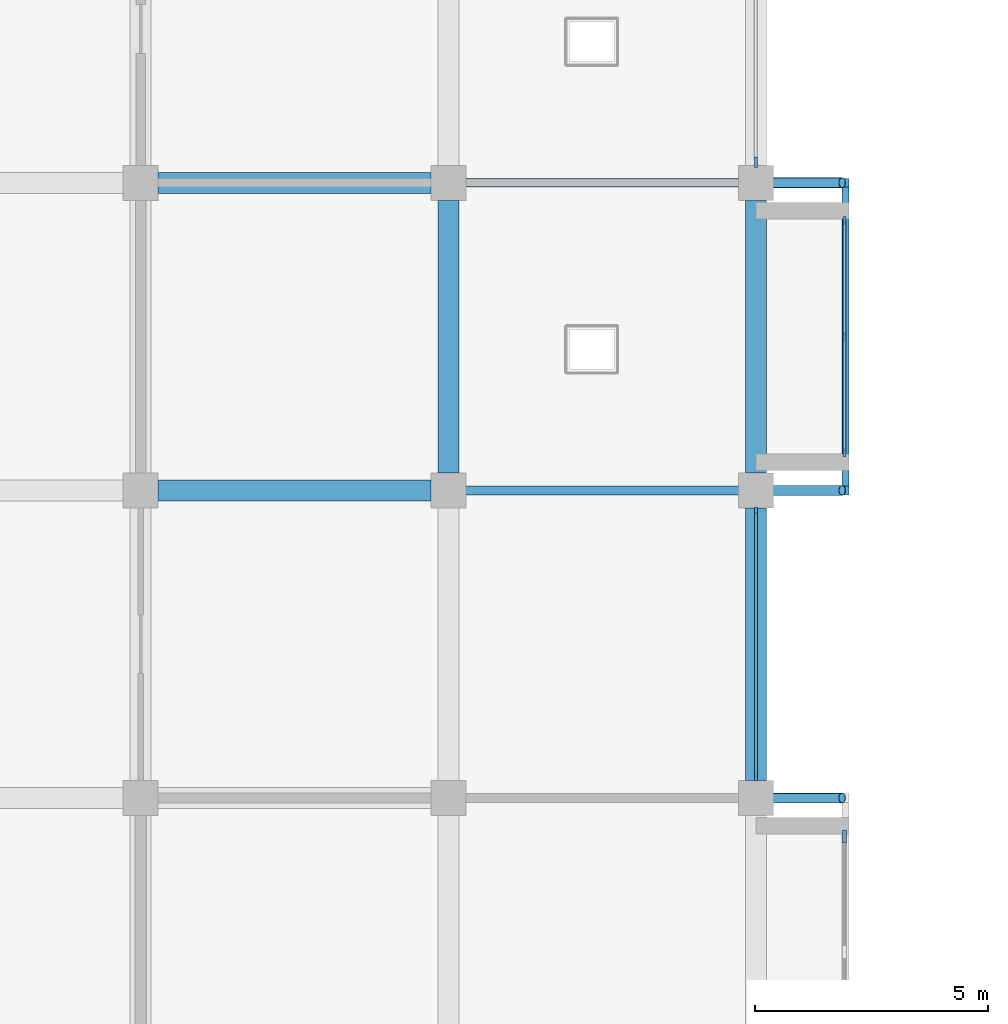
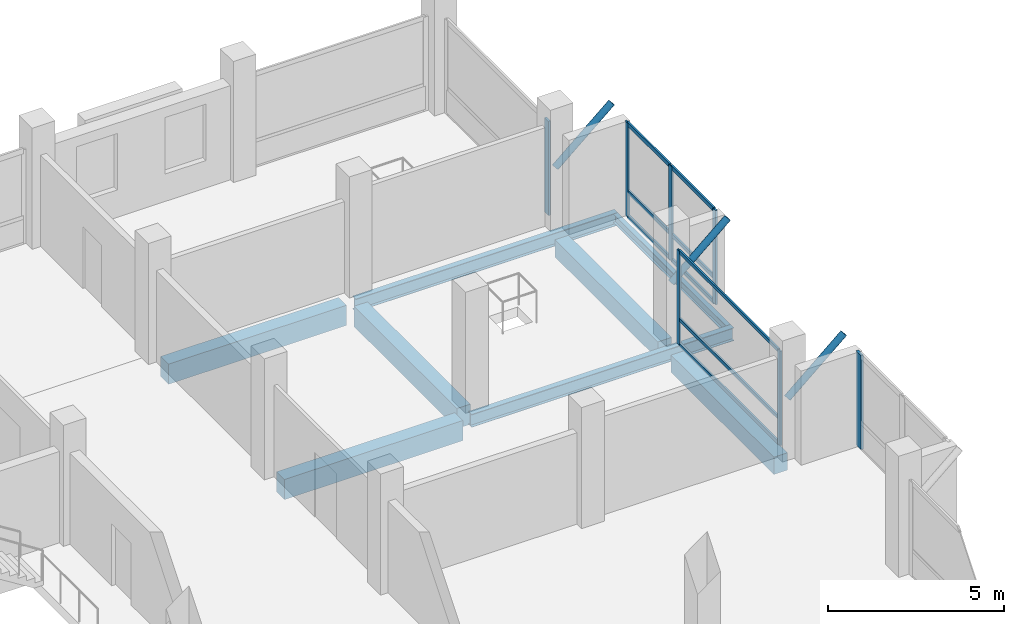
# One storey, part 6 of 18: 19 members, 8 beams, 4 elements without a shape of their own.
"""IFC4 building model written with IfcOpenShell, lengths in metres."""

import ifcopenshell
import ifcopenshell.guid

model = None  # the IFC model being written
_history = None  # IfcOwnerHistory: only IFC2X3 demands one
_inside = {}  # id of a spatial element -> (the spatial element, [elements in it])
_under = {}  # id of a project, library or spatial element -> (it, [spatial elements below it])
_declared = {}  # id of a project -> (the project, [libraries it declares])
_typed = {}  # id of a type object -> (the type object, [elements of that type])
_made_of = {}  # id of a material, layer set ... -> (it, [elements and type objects made of it])


def new_model(schema):
    """Start an empty IFC model of exactly this schema.

    Asked for "IFC4X3", IfcOpenShell would pick the latest addendum, in which some entities
    have other attributes; the version numbers below select the first issue.
    IFC2X3 requires an IfcOwnerHistory on every rooted entity: one is made here for all.
    """
    global model, _history
    if schema == "IFC4X3":
        model = ifcopenshell.file(schema_version=(4, 3, 0, 0))
    else:
        model = ifcopenshell.file(schema=schema)
    _inside.clear()
    _under.clear()
    _declared.clear()
    _typed.clear()
    _made_of.clear()
    _history = None
    if model.schema == "IFC2X3":
        org = make("IfcOrganization", Name="unknown")
        user = make(
            "IfcPersonAndOrganization",
            ThePerson=make("IfcPerson", FamilyName="unknown"),
            TheOrganization=org,
        )
        app = make(
            "IfcApplication",
            ApplicationDeveloper=org,
            Version="unknown",
            ApplicationFullName="unknown",
            ApplicationIdentifier="unknown",
        )
        _history = make(
            "IfcOwnerHistory",
            OwningUser=user,
            OwningApplication=app,
            ChangeAction="ADDED",
            CreationDate=0,
        )
    return model


def make(cls, **values):
    """One entity of the class cls with the attributes given. An attribute that is None is left unset."""
    return model.create_entity(
        cls, **{name: value for name, value in values.items() if value is not None}
    )


def rooted(cls, **values):
    """An entity with a GlobalId (a new one), such as an element, a storey or a relation."""
    return make(cls, GlobalId=ifcopenshell.guid.new(), OwnerHistory=_history, **values)


def si_unit(unit_type, name, prefix=None):
    """IfcSIUnit, for example si_unit("LENGTHUNIT", "METRE", prefix="MILLI")."""
    return make("IfcSIUnit", UnitType=unit_type, Prefix=prefix, Name=name)


def assignment(units):
    """IfcUnitAssignment: the units of a project."""
    return None if units is None else make("IfcUnitAssignment", Units=units)


def point(xyz):
    """IfcCartesianPoint."""
    return None if xyz is None else make("IfcCartesianPoint", Coordinates=xyz)


def direction(xyz):
    """IfcDirection."""
    return None if xyz is None else make("IfcDirection", DirectionRatios=xyz)


def frame(location, z_axis=None, x_axis=None):
    """IfcAxis2Placement3D, a coordinate frame: its origin and axes. An axis left out is left unset."""
    return make(
        "IfcAxis2Placement3D",
        Location=point(location),
        Axis=direction(z_axis),
        RefDirection=direction(x_axis),
    )


def frame_2d(location, x_axis=None):
    """IfcAxis2Placement2D, a coordinate frame in the plane: its origin and x axis."""
    return make(
        "IfcAxis2Placement2D", Location=point(location), RefDirection=direction(x_axis)
    )


def origin():
    """The frame at (0, 0, 0) with its axes left unset."""
    return frame((0.0, 0.0, 0.0))


def origin_2d():
    """The frame at (0, 0) in the plane with its x axis left unset."""
    return frame_2d((0.0, 0.0))


def place(relative_to, where):
    """IfcLocalPlacement: puts the frame where relative to a parent placement (None: the world)."""
    return make(
        "IfcLocalPlacement", PlacementRelTo=relative_to, RelativePlacement=where
    )


def context(
    kind, dimensions, precision=None, world=None, true_north=None, identifier=None
):
    """IfcGeometricRepresentationContext, for example the 3D "Model" context."""
    return make(
        "IfcGeometricRepresentationContext",
        ContextIdentifier=identifier,
        ContextType=kind,
        CoordinateSpaceDimension=dimensions,
        Precision=precision,
        WorldCoordinateSystem=world,
        TrueNorth=true_north,
    )


def subcontext(parent, identifier, kind, view, scale=None):
    """IfcGeometricRepresentationSubContext, for example "Body" below "Model"."""
    return make(
        "IfcGeometricRepresentationSubContext",
        ContextIdentifier=identifier,
        ContextType=kind,
        ParentContext=parent,
        TargetScale=scale,
        TargetView=view,
    )


def project(units=None, contexts=None):
    """IfcProject with its units and contexts."""
    return rooted(
        "IfcProject",
        Name="project",
        RepresentationContexts=contexts,
        UnitsInContext=assignment(units),
    )


def spatial(cls, under=None, at=None, **own):
    """A site, building, storey or space (cls), placed at a placement, below another one or the project."""
    s = rooted(cls, ObjectPlacement=at, **own)
    if under is not None:
        _under.setdefault(under.id(), (under, []))[1].append(s)
    return s


def profile(cls, at=None, kind="AREA", **sizes):
    """A parametric profile (cls). Its sizes go by their IFC names, for example OverallWidth=200.0."""
    return make(cls, ProfileType=kind, Position=at, **sizes)


def rectangle(**sizes):
    """IfcRectangleProfileDef."""
    return profile("IfcRectangleProfileDef", **sizes)


def hollow_circle(**sizes):
    """IfcCircleHollowProfileDef."""
    return profile("IfcCircleHollowProfileDef", **sizes)


def i_section(**sizes):
    """IfcIShapeProfileDef."""
    return profile("IfcIShapeProfileDef", **sizes)


def extrude(swept, where, along, depth):
    """IfcExtrudedAreaSolid: the profile swept, set in the frame where, extruded along a direction by depth."""
    return make(
        "IfcExtrudedAreaSolid",
        SweptArea=swept,
        Position=where,
        ExtrudedDirection=direction(along),
        Depth=depth,
    )


def shape(context_of_items, identifier, shape_type, items):
    """IfcShapeRepresentation: the items that make up one representation, for example the "Body"."""
    return make(
        "IfcShapeRepresentation",
        ContextOfItems=context_of_items,
        RepresentationIdentifier=identifier,
        RepresentationType=shape_type,
        Items=items,
    )


def material(Name=None, Category=None):
    """IfcMaterial."""
    return make("IfcMaterial", Name=Name, Category=Category)


def material_profile(
    of_material, cross_section, Name=None, Category=None, Priority=None
):
    """IfcMaterialProfile: a cross section and its material."""
    return make(
        "IfcMaterialProfile",
        Name=Name,
        Material=of_material,
        Profile=cross_section,
        Priority=Priority,
        Category=Category,
    )


def profile_set(profiles, Name=None, composite=None):
    """IfcMaterialProfileSet."""
    return make(
        "IfcMaterialProfileSet",
        Name=Name,
        MaterialProfiles=profiles,
        CompositeProfile=composite,
    )


def made_of(thing, what):
    """Note that an element or type object is made of a material, layer set ...; save() writes the relation."""
    if what is not None:
        _made_of.setdefault(what.id(), (what, []))[1].append(thing)
    return thing


def type_object(cls, material=None, **own):
    """A type object (cls), such as IfcWallType, which elements share."""
    return made_of(rooted(cls, **own), material)


def element(
    cls,
    number,
    at=None,
    inside=None,
    cuts=None,
    type_object=None,
    material=None,
    context=None,
    identifier="Body",
    shape_type=None,
    held_by="IfcProductDefinitionShape",
    body=None,
    shapes=None,
    **own,
):
    """One element of the class cls, such as IfcWall. Its Tag is "e" and its number.

    at: its placement. inside: the storey or other place that contains it. cuts: it is an
    opening in that element (IfcRelVoidsElement). A single representation is given by context,
    identifier, shape_type and body (its items); several are given by shapes. held_by: the class
    of the entity that holds the representations. save() writes the other relations.
    """
    e = rooted(cls, Tag="e%d" % number, ObjectPlacement=at, **own)
    if body is not None:
        shapes = [shape(context, identifier, shape_type, body)]
    if shapes is not None:
        e.Representation = make(held_by, Representations=shapes)
    if inside is not None:
        _inside.setdefault(inside.id(), (inside, []))[1].append(e)
    if cuts is not None:
        rooted(
            "IfcRelVoidsElement", RelatingBuildingElement=cuts, RelatedOpeningElement=e
        )
    if type_object is not None:
        _typed.setdefault(type_object.id(), (type_object, []))[1].append(e)
    return made_of(e, material)


def aggregate(whole, parts):
    """IfcRelAggregates: a whole, such as a stair, and the parts it consists of."""
    return rooted("IfcRelAggregates", RelatingObject=whole, RelatedObjects=parts)


def save(model, path):
    """Write the relations noted so far, then the file.

    IfcRelAggregates (storeys below a building ...), IfcRelContainedInSpatialStructure (elements
    in a storey), IfcRelDefinesByType, IfcRelAssociatesMaterial and IfcRelDeclares: one each for
    every whole, place, type object, material and project.
    """
    for whole, parts in _under.values():
        aggregate(whole, parts)
    for where, things in _inside.values():
        rooted(
            "IfcRelContainedInSpatialStructure",
            RelatedElements=things,
            RelatingStructure=where,
        )
    for kind, things in _typed.values():
        rooted("IfcRelDefinesByType", RelatedObjects=things, RelatingType=kind)
    for what, things in _made_of.values():
        rooted("IfcRelAssociatesMaterial", RelatedObjects=things, RelatingMaterial=what)
    for by, libraries in _declared.values():
        rooted("IfcRelDeclares", RelatingContext=by, RelatedDefinitions=libraries)
    model.write(path)


model = new_model("IFC4")

# Units and contexts
model_context = context("Model", 3, precision=1e-05, world=origin(), true_north=direction((0.0, 1.0)))
body_context = subcontext(model_context, "Body", "Model", "MODEL_VIEW")
ifc_project = project(units=[si_unit("LENGTHUNIT", "METRE"), si_unit("AREAUNIT", "SQUARE_METRE"), si_unit("VOLUMEUNIT", "CUBIC_METRE"), si_unit("PLANEANGLEUNIT", "RADIAN"), si_unit("MASSUNIT", "GRAM", prefix="KILO")], contexts=[model_context])

# Site, building, storey
site_placement = place(None, origin())
site = spatial("IfcSite", under=ifc_project, at=site_placement, CompositionType="ELEMENT")
building_placement = place(site_placement, origin())
building = spatial("IfcBuilding", under=site, at=building_placement, Name="Rusizi Kubbe Research Institute", CompositionType="ELEMENT")
storey_placement = place(building_placement, frame((0.0, 0.0, 22.800048828125)))
storey = spatial("IfcBuildingStorey", under=building, at=storey_placement, Name="L05", CompositionType="ELEMENT", Elevation=22.800048828125)

# Beams
ifc_material_1 = material(Name="Steel S355", Category="steel")
ifc_material_profile_1 = material_profile(ifc_material_1, i_section(OverallWidth=0.14990234375, OverallDepth=0.300048828125, WebThickness=0.007080078125, FlangeThickness=0.0107421875, at=origin_2d()), Name="IPE 300")
ifc_profile_set_1 = profile_set([ifc_material_profile_1], Name="Steel S355")
beam_type_1 = type_object("IfcBeamType", Name="BM-IPE300", PredefinedType="BEAM", material=ifc_profile_set_1)
beam_1_placement = place(storey_placement, frame((28.324951171875, 72.695068359375, -0.489990234375), z_axis=(0.0, 1.0, 0.0), x_axis=(-1.0, 0.0, 0.0)))
element("IfcBeam", 1, at=beam_1_placement, inside=storey, type_object=beam_type_1, Name="Cumba Edge Tie Beam L05-2", PredefinedType="BEAM", context=body_context, shape_type="SweptSolid", body=[
    extrude(i_section(OverallWidth=0.14990234375, OverallDepth=0.300048828125, WebThickness=0.007080078125, FlangeThickness=0.0107421875, at=origin_2d()), origin(), (0.0, 0.0, 1.0), 6.409912109375),
])
ifc_material_2 = material(Name="Steel S355", Category="steel")
ifc_material_profile_2 = material_profile(ifc_material_2, i_section(OverallWidth=0.18994140625, OverallDepth=0.449951171875, WebThickness=0.009521484375, FlangeThickness=0.0146484375, at=origin_2d()), Name="IPE 450")
ifc_profile_set_2 = profile_set([ifc_material_profile_2], Name="Steel S355")
beam_type_2 = type_object("IfcBeamType", Name="BM-IPE450", PredefinedType="BEAM", material=ifc_profile_set_2)
for number, where, z_axis, x_axis, name in (
    (2, (19.800048828125, 72.60009765625, -0.56494140625), (1.0, 0.0, 0.0), (0.0, 1.0, 0.0), "Cumba Back-Spanned Cantilever Beam L05-2S"),
    (3, (19.800048828125, 79.199951171875, -0.56494140625), (1.0, 0.0, 0.0), (0.0, 1.0, 0.0), "Cumba Back-Spanned Cantilever Beam L05-2N"),
):
    element("IfcBeam", number, at=place(storey_placement, frame(where, z_axis=z_axis, x_axis=x_axis)), inside=storey, type_object=beam_type_2, Name=name, PredefinedType="BEAM", context=body_context, shape_type="SweptSolid", body=[
        extrude(i_section(OverallWidth=0.18994140625, OverallDepth=0.449951171875, WebThickness=0.009521484375, FlangeThickness=0.0146484375, at=origin_2d()), origin(), (0.0, 0.0, 1.0), 8.599853515625),
    ])
ifc_material_3 = material(Name="Concrete C40/50", Category="concrete")
ifc_material_profile_3 = material_profile(ifc_material_3, rectangle(XDim=0.449951171875, YDim=0.60009765625, at=origin_2d()), Name="RC450x600")
ifc_profile_set_3 = profile_set([ifc_material_profile_3], Name="Concrete C40/50")
beam_type_3 = type_object("IfcBeamType", Name="BM-RC450x600", PredefinedType="SPANDREL", material=ifc_profile_set_3)
beam_2_placement = place(storey_placement, frame((26.39990234375, 66.375, -0.64013671875), z_axis=(0.0, 1.0, 0.0), x_axis=(-1.0, 0.0, 0.0)))
element("IfcBeam", 4, at=beam_2_placement, inside=storey, type_object=beam_type_3, Name="Grid Beam V L05 (4,10)", PredefinedType="SPANDREL", context=body_context, shape_type="SweptSolid", body=[
    extrude(rectangle(XDim=0.449951171875, YDim=0.60009765625, at=origin_2d()), origin(), (0.0, 0.0, 1.0), 5.85009765625),
])
beam_3_placement = place(storey_placement, frame((26.39990234375, 72.97509765625, -0.64013671875), z_axis=(0.0, 1.0, 0.0), x_axis=(-1.0, 0.0, 0.0)))
element("IfcBeam", 5, at=beam_3_placement, inside=storey, type_object=beam_type_3, Name="Grid Beam V L05 (4,11)", PredefinedType="SPANDREL", context=body_context, shape_type="SweptSolid", body=[
    extrude(rectangle(XDim=0.449951171875, YDim=0.60009765625, at=origin_2d()), origin(), (0.0, 0.0, 1.0), 5.849853515625),
])
ifc_material_4 = material(Name="Concrete C40/50", Category="concrete")
ifc_material_profile_4 = material_profile(ifc_material_4, rectangle(XDim=0.449951171875, YDim=0.699951171875, at=origin_2d()), Name="RC450x700B")
ifc_profile_set_4 = profile_set([ifc_material_profile_4], Name="Concrete C40/50")
beam_type_4 = type_object("IfcBeamType", Name="BM-RC450x700", PredefinedType="BEAM", material=ifc_profile_set_4)
for number, where, z_axis, x_axis, name in (
    (6, (13.574951171875, 72.60009765625, -0.68994140625), (1.0, 0.0, 0.0), (0.0, 1.0, 0.0), "Grid Beam H L05 (2,11)"),
    (7, (13.574951171875, 79.199951171875, -0.68994140625), (1.0, 0.0, 0.0), (0.0, 1.0, 0.0), "Grid Beam H L05 (2,12)"),
):
    element("IfcBeam", number, at=place(storey_placement, frame(where, z_axis=z_axis, x_axis=x_axis)), inside=storey, type_object=beam_type_4, Name=name, PredefinedType="BEAM", context=body_context, shape_type="SweptSolid", body=[
        extrude(rectangle(XDim=0.449951171875, YDim=0.699951171875, at=origin_2d()), origin(), (0.0, 0.0, 1.0), 5.85009765625),
    ])
beam_4_placement = place(storey_placement, frame((19.800048828125, 72.97509765625, -0.68994140625), z_axis=(0.0, 1.0, 0.0), x_axis=(-1.0, 0.0, 0.0)))
element("IfcBeam", 8, at=beam_4_placement, inside=storey, type_object=beam_type_4, Name="Grid Beam V L05 (3,11)", PredefinedType="BEAM", context=body_context, shape_type="SweptSolid", body=[
    extrude(rectangle(XDim=0.449951171875, YDim=0.699951171875, at=origin_2d()), origin(), (0.0, 0.0, 1.0), 5.849853515625),
])

# Members
ifc_material_5 = material(Name="Steel S355", Category="steel")
ifc_material_profile_5 = material_profile(ifc_material_5, hollow_circle(Radius=0.109619140625, WallThickness=0.008056640625, at=origin_2d()), Name="CHS 219.1x8.0")
ifc_profile_set_5 = profile_set([ifc_material_profile_5], Name="Steel S355")
member_type_1 = type_object("IfcMemberType", Name="MB-CHS219", PredefinedType="BRACE", material=ifc_profile_set_5)
for number, where, z_axis, x_axis, name in (
    (9, (26.39990234375, 66.0, 1.869873046875), (0.756360503059, 0.0, 0.654155019405), (0.0, 1.0, 0.0), "Cumba Diagonal Corbel Brace L06-2N"),
    (10, (26.39990234375, 72.60009765625, 1.869873046875), (0.756360503059, 0.0, 0.654155019405), (0.0, 1.0, 0.0), "Cumba Diagonal Corbel Brace L06-4S"),
    (11, (26.39990234375, 79.199951171875, 1.869873046875), (0.756360503059, 0.0, 0.654155019405), (0.0, 1.0, 0.0), "Cumba Diagonal Corbel Brace L06-4N"),
):
    element("IfcMember", number, at=place(storey_placement, frame(where, z_axis=z_axis, x_axis=x_axis)), inside=storey, type_object=member_type_1, Name=name, PredefinedType="BRACE", context=body_context, shape_type="SweptSolid", body=[
        extrude(hollow_circle(Radius=0.109619140625, WallThickness=0.008056640625, at=origin_2d()), origin(), (0.0, 0.0, 1.0), 2.446044921875),
    ])

# Curtain wall, members
ifc_material_6 = material(Name="Thermally Broken Aluminium and Low-E Glazing", Category="aluminium")
curtain_wall_type_1 = type_object("IfcCurtainWallType", Name="CW-08", PredefinedType="NOTDEFINED", material=ifc_material_6)
curtain_wall_1_placement = place(storey_placement, origin())
curtain_wall_1 = element("IfcCurtainWall", 12, at=curtain_wall_1_placement, inside=storey, type_object=curtain_wall_type_1, Name="Unitised Facade Curtain Wall CW-L05-V-04-10", PredefinedType="NOTDEFINED")
ifc_material_7 = material(Name="Aluminium Alloy 6063-T6", Category="aluminium")
ifc_material_profile_6 = material_profile(ifc_material_7, rectangle(XDim=0.06005859375, YDim=0.14990234375, at=origin_2d()), Name="ALU-M 60x150")
ifc_profile_set_6 = profile_set([ifc_material_profile_6], Name="Aluminium Alloy 6063-T6")
member_type_2 = type_object("IfcMemberType", Name="ML-01", PredefinedType="MULLION", material=ifc_profile_set_6)
member_1_placement = place(storey_placement, frame((26.39990234375, 66.43505859375, 0.0), z_axis=(0.0, 0.0, 1.0), x_axis=(-1.0, 0.0, 0.0)))
member_1 = element("IfcMember", 13, at=member_1_placement, type_object=member_type_2, Name="CW-08 mullion 1", PredefinedType="MULLION", context=body_context, shape_type="SweptSolid", body=[
    extrude(rectangle(XDim=0.06005859375, YDim=0.14990234375, at=origin_2d()), origin(), (0.0, 0.0, 1.0), 3.27001953125),
])
member_2_placement = place(storey_placement, frame((26.39990234375, 72.1650390625, 0.0), z_axis=(0.0, 0.0, 1.0), x_axis=(-1.0, 0.0, 0.0)))
member_2 = element("IfcMember", 14, at=member_2_placement, type_object=member_type_2, Name="CW-08 mullion 2", PredefinedType="MULLION", context=body_context, shape_type="SweptSolid", body=[
    extrude(rectangle(XDim=0.06005859375, YDim=0.14990234375, at=origin_2d()), origin(), (0.0, 0.0, 1.0), 3.27001953125),
])

ifc_material_8 = material(Name="Thermally Broken Aluminium and Low-E Glazing", Category="aluminium")
curtain_wall_type_2 = type_object("IfcCurtainWallType", Name="CW-02", PredefinedType="NOTDEFINED", material=ifc_material_8)
curtain_wall_2_placement = place(storey_placement, origin())
curtain_wall_2 = element("IfcCurtainWall", 15, at=curtain_wall_2_placement, inside=storey, type_object=curtain_wall_type_2, Name="Cumba Glazed Curtain Wall CW-CUMBA-L05-061", PredefinedType="NOTDEFINED")
ifc_material_9 = material(Name="Aluminium Alloy 6063-T6", Category="aluminium")
ifc_material_profile_7 = material_profile(ifc_material_9, rectangle(XDim=0.06005859375, YDim=0.179931640625, at=origin_2d()), Name="ALU-M 60x180")
ifc_profile_set_7 = profile_set([ifc_material_profile_7], Name="Aluminium Alloy 6063-T6")
member_type_3 = type_object("IfcMemberType", Name="ML-02", PredefinedType="MULLION", material=ifc_profile_set_7)
member_3_placement = place(storey_placement, frame((28.300048828125, 73.41259765625, 0.0), z_axis=(0.0, 0.0, 1.0), x_axis=(-1.0, 0.0, 0.0)))
member_3 = element("IfcMember", 16, at=member_3_placement, type_object=member_type_3, Name="CW-02 mullion 1", PredefinedType="MULLION", context=body_context, shape_type="SweptSolid", body=[
    extrude(rectangle(XDim=0.06005859375, YDim=0.179931640625, at=origin_2d()), origin(), (0.0, 0.0, 1.0), 3.27001953125),
])
member_4_placement = place(storey_placement, frame((28.300048828125, 75.89990234375, 0.0), z_axis=(0.0, 0.0, 1.0), x_axis=(-1.0, 0.0, 0.0)))
member_4 = element("IfcMember", 17, at=member_4_placement, type_object=member_type_3, Name="CW-02 mullion 2", PredefinedType="MULLION", context=body_context, shape_type="SweptSolid", body=[
    extrude(rectangle(XDim=0.06005859375, YDim=0.179931640625, at=origin_2d()), origin(), (0.0, 0.0, 1.0), 3.27001953125),
])
member_5_placement = place(storey_placement, frame((28.300048828125, 78.387451171875, 0.0), z_axis=(0.0, 0.0, 1.0), x_axis=(-1.0, 0.0, 0.0)))
member_5 = element("IfcMember", 18, at=member_5_placement, type_object=member_type_3, Name="CW-02 mullion 3", PredefinedType="MULLION", context=body_context, shape_type="SweptSolid", body=[
    extrude(rectangle(XDim=0.06005859375, YDim=0.179931640625, at=origin_2d()), origin(), (0.0, 0.0, 1.0), 3.27001953125),
])

# Curtain wall, member
curtain_wall_3_placement = place(storey_placement, origin())
curtain_wall_3 = element("IfcCurtainWall", 19, at=curtain_wall_3_placement, inside=storey, type_object=curtain_wall_type_1, Name="Unitised Facade Curtain Wall CW-L05-V-04-12", PredefinedType="NOTDEFINED")
ifc_material_10 = material(Name="Aluminium Alloy 6063-T6", Category="aluminium")
ifc_material_profile_8 = material_profile(ifc_material_10, rectangle(XDim=0.070068359375, YDim=0.219970703125, at=origin_2d()), Name="ALU-M 70x220")
ifc_profile_set_8 = profile_set([ifc_material_profile_8], Name="Aluminium Alloy 6063-T6")
member_type_4 = type_object("IfcMemberType", Name="ML-04", PredefinedType="MULLION", material=ifc_profile_set_8)
member_6_placement = place(storey_placement, frame((26.39990234375, 79.639892578125, 0.0), z_axis=(0.0, 0.0, 1.0), x_axis=(-1.0, 0.0, 0.0)))
member_6 = element("IfcMember", 20, at=member_6_placement, type_object=member_type_4, Name="CW-08 mullion 1", PredefinedType="MULLION", context=body_context, shape_type="SweptSolid", body=[
    extrude(rectangle(XDim=0.070068359375, YDim=0.219970703125, at=origin_2d()), origin(), (0.0, 0.0, 1.0), 3.27001953125),
])
aggregate(curtain_wall_3, [member_6])

curtain_wall_4_placement = place(storey_placement, origin())
curtain_wall_4 = element("IfcCurtainWall", 21, at=curtain_wall_4_placement, inside=storey, type_object=curtain_wall_type_2, Name="Cumba Glazed Curtain Wall CW-CUMBA-L05-059", PredefinedType="NOTDEFINED")
ifc_material_11 = material(Name="Aluminium Alloy 6063-T6", Category="aluminium")
ifc_material_profile_9 = material_profile(ifc_material_11, rectangle(XDim=0.080078125, YDim=0.280029296875, at=origin_2d()), Name="ALU-M 80x280")
ifc_profile_set_9 = profile_set([ifc_material_profile_9], Name="Aluminium Alloy 6063-T6")
member_type_5 = type_object("IfcMemberType", Name="ML-06", PredefinedType="MULLION", material=ifc_profile_set_9)
member_7_placement = place(storey_placement, frame((28.300048828125, 65.177490234375, 0.0), z_axis=(0.0, 0.0, 1.0), x_axis=(-1.0, 0.0, 0.0)))
member_7 = element("IfcMember", 22, at=member_7_placement, type_object=member_type_5, Name="CW-02 mullion 3", PredefinedType="MULLION", context=body_context, shape_type="SweptSolid", body=[
    extrude(rectangle(XDim=0.080078125, YDim=0.280029296875, at=origin_2d()), origin(), (0.0, 0.0, 1.0), 3.27001953125),
])
aggregate(curtain_wall_4, [member_7])

# Member
ifc_material_12 = material(Name="Aluminium Alloy 6063-T6", Category="aluminium")
ifc_material_profile_10 = material_profile(ifc_material_12, rectangle(XDim=0.06005859375, YDim=0.1201171875, at=origin_2d()), Name="ALU-T 60x120")
ifc_profile_set_10 = profile_set([ifc_material_profile_10], Name="Aluminium Alloy 6063-T6")
member_type_6 = type_object("IfcMemberType", Name="TR-01", PredefinedType="USERDEFINED", material=ifc_profile_set_10)
member_8_placement = place(storey_placement, frame((26.39990234375, 66.465087890625, 0.030029296875), z_axis=(0.0, 1.0, 0.0), x_axis=(-1.0, 0.0, 0.0)))
member_8 = element("IfcMember", 23, at=member_8_placement, type_object=member_type_6, Name="CW-08 transom 1.1", ObjectType="TRANSOM", PredefinedType="USERDEFINED", context=body_context, shape_type="SweptSolid", body=[
    extrude(rectangle(XDim=0.06005859375, YDim=0.1201171875, at=origin_2d()), origin(), (0.0, 0.0, 1.0), 5.669921875),
])

member_9_placement = place(storey_placement, frame((26.39990234375, 66.465087890625, 0.89990234375), z_axis=(0.0, 1.0, 0.0), x_axis=(-1.0, 0.0, 0.0)))
member_9 = element("IfcMember", 24, at=member_9_placement, type_object=member_type_6, Name="CW-08 transom 1.2", ObjectType="TRANSOM", PredefinedType="USERDEFINED", context=body_context, shape_type="SweptSolid", body=[
    extrude(rectangle(XDim=0.06005859375, YDim=0.1201171875, at=origin_2d()), origin(), (0.0, 0.0, 1.0), 5.669921875),
])

member_10_placement = place(storey_placement, frame((26.39990234375, 66.465087890625, 3.239990234375), z_axis=(0.0, 1.0, 0.0), x_axis=(-1.0, 0.0, 0.0)))
member_10 = element("IfcMember", 25, at=member_10_placement, type_object=member_type_6, Name="CW-08 transom 1.3", ObjectType="TRANSOM", PredefinedType="USERDEFINED", context=body_context, shape_type="SweptSolid", body=[
    extrude(rectangle(XDim=0.06005859375, YDim=0.1201171875, at=origin_2d()), origin(), (0.0, 0.0, 1.0), 5.669921875),
])

aggregate(curtain_wall_1, [member_1, member_2, member_8, member_9, member_10])

ifc_material_13 = material(Name="Aluminium Alloy 6063-T6", Category="aluminium")
ifc_material_profile_11 = material_profile(ifc_material_13, rectangle(XDim=0.06005859375, YDim=0.139892578125, at=origin_2d()), Name="ALU-T 60x140")
ifc_profile_set_11 = profile_set([ifc_material_profile_11], Name="Aluminium Alloy 6063-T6")
member_type_7 = type_object("IfcMemberType", Name="TR-02", PredefinedType="USERDEFINED", material=ifc_profile_set_11)
member_11_placement = place(storey_placement, frame((28.300048828125, 73.4423828125, 0.030029296875), z_axis=(0.0, 1.0, 0.0), x_axis=(-1.0, 0.0, 0.0)))
member_11 = element("IfcMember", 26, at=member_11_placement, type_object=member_type_7, Name="CW-02 transom 1.1", ObjectType="TRANSOM", PredefinedType="USERDEFINED", context=body_context, shape_type="SweptSolid", body=[
    extrude(rectangle(XDim=0.06005859375, YDim=0.139892578125, at=origin_2d()), origin(), (0.0, 0.0, 1.0), 2.427734375),
])

member_12_placement = place(storey_placement, frame((28.300048828125, 73.4423828125, 0.89990234375), z_axis=(0.0, 1.0, 0.0), x_axis=(-1.0, 0.0, 0.0)))
member_12 = element("IfcMember", 27, at=member_12_placement, type_object=member_type_7, Name="CW-02 transom 1.2", ObjectType="TRANSOM", PredefinedType="USERDEFINED", context=body_context, shape_type="SweptSolid", body=[
    extrude(rectangle(XDim=0.06005859375, YDim=0.139892578125, at=origin_2d()), origin(), (0.0, 0.0, 1.0), 2.427734375),
])

member_13_placement = place(storey_placement, frame((28.300048828125, 73.4423828125, 3.239990234375), z_axis=(0.0, 1.0, 0.0), x_axis=(-1.0, 0.0, 0.0)))
member_13 = element("IfcMember", 28, at=member_13_placement, type_object=member_type_7, Name="CW-02 transom 1.3", ObjectType="TRANSOM", PredefinedType="USERDEFINED", context=body_context, shape_type="SweptSolid", body=[
    extrude(rectangle(XDim=0.06005859375, YDim=0.139892578125, at=origin_2d()), origin(), (0.0, 0.0, 1.0), 2.427734375),
])

member_14_placement = place(storey_placement, frame((28.300048828125, 75.929931640625, 0.030029296875), z_axis=(0.0, 1.0, 0.0), x_axis=(-1.0, 0.0, 0.0)))
member_14 = element("IfcMember", 29, at=member_14_placement, type_object=member_type_7, Name="CW-02 transom 2.1", ObjectType="TRANSOM", PredefinedType="USERDEFINED", context=body_context, shape_type="SweptSolid", body=[
    extrude(rectangle(XDim=0.06005859375, YDim=0.139892578125, at=origin_2d()), origin(), (0.0, 0.0, 1.0), 2.427490234375),
])

member_15_placement = place(storey_placement, frame((28.300048828125, 75.929931640625, 0.89990234375), z_axis=(0.0, 1.0, 0.0), x_axis=(-1.0, 0.0, 0.0)))
member_15 = element("IfcMember", 30, at=member_15_placement, type_object=member_type_7, Name="CW-02 transom 2.2", ObjectType="TRANSOM", PredefinedType="USERDEFINED", context=body_context, shape_type="SweptSolid", body=[
    extrude(rectangle(XDim=0.06005859375, YDim=0.139892578125, at=origin_2d()), origin(), (0.0, 0.0, 1.0), 2.427490234375),
])

member_16_placement = place(storey_placement, frame((28.300048828125, 75.929931640625, 3.239990234375), z_axis=(0.0, 1.0, 0.0), x_axis=(-1.0, 0.0, 0.0)))
member_16 = element("IfcMember", 31, at=member_16_placement, type_object=member_type_7, Name="CW-02 transom 2.3", ObjectType="TRANSOM", PredefinedType="USERDEFINED", context=body_context, shape_type="SweptSolid", body=[
    extrude(rectangle(XDim=0.06005859375, YDim=0.139892578125, at=origin_2d()), origin(), (0.0, 0.0, 1.0), 2.427490234375),
])

aggregate(curtain_wall_2, [member_3, member_4, member_5, member_11, member_12, member_13, member_14, member_15, member_16])

save(model, "model.ifc")
